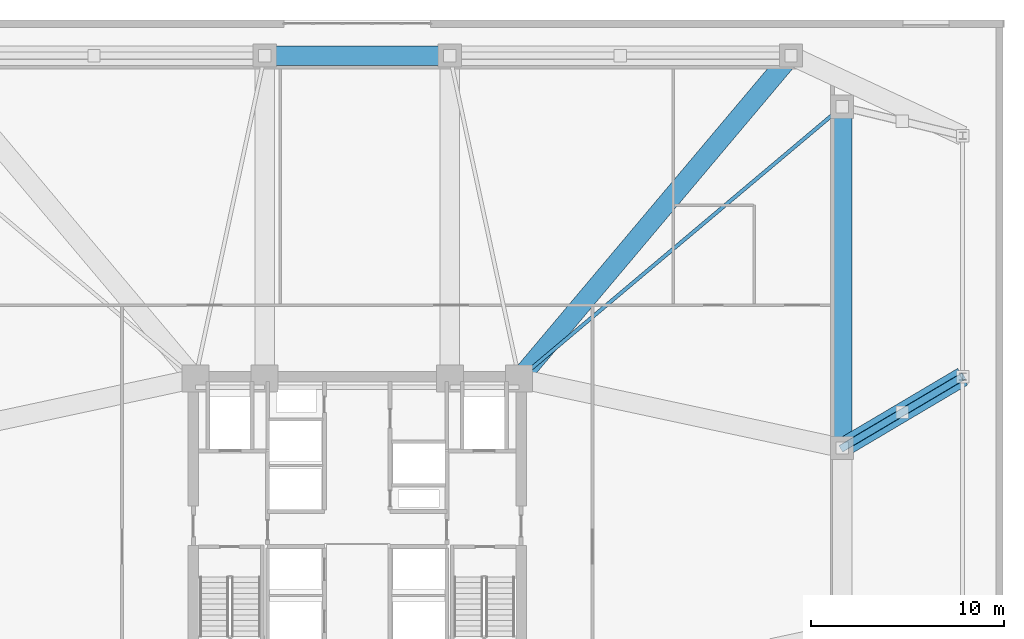
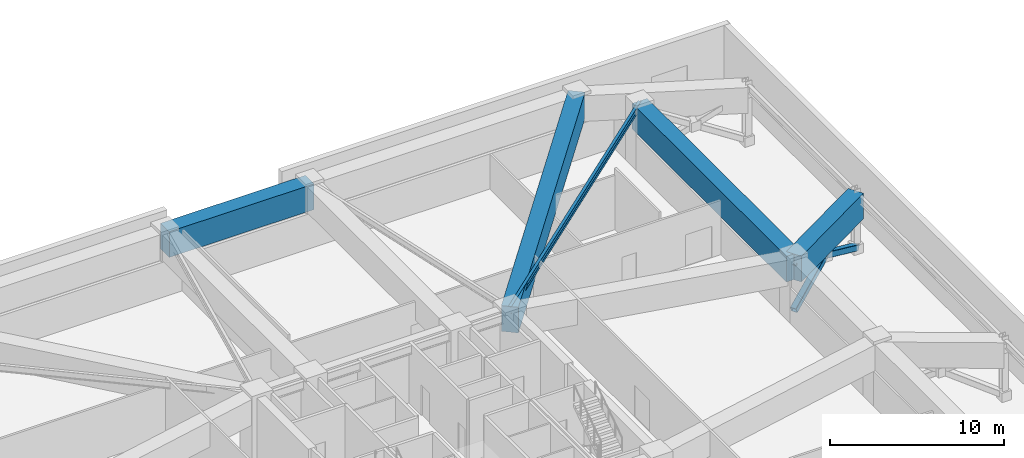
# One storey, part 8 of 19: 5 beams, 3 members.
"""IFC4 building model written with IfcOpenShell, lengths in metres."""

from ifc_helpers import new_model, si_unit, direction, frame, origin, origin_2d, place, context, subcontext, project, spatial, rectangle, hollow_rectangle, i_section, extrude, material, material_profile, profile_set, type_object, element, save


model = new_model("IFC4")

# Units and contexts
model_context = context("Model", 3, precision=1e-05, world=origin(), true_north=direction((0.0, 1.0)))
body_context = subcontext(model_context, "Body", "Model", "MODEL_VIEW")
ifc_project = project(units=[si_unit("LENGTHUNIT", "METRE"), si_unit("AREAUNIT", "SQUARE_METRE"), si_unit("VOLUMEUNIT", "CUBIC_METRE"), si_unit("PLANEANGLEUNIT", "RADIAN"), si_unit("MASSUNIT", "GRAM", prefix="KILO")], contexts=[model_context])

# Site, building, storey
site_placement = place(None, origin())
site = spatial("IfcSite", under=ifc_project, at=site_placement, CompositionType="ELEMENT")
building_placement = place(site_placement, origin())
building = spatial("IfcBuilding", under=site, at=building_placement, Name="Cairnveth Concourse Tower", CompositionType="ELEMENT")
storey_placement = place(building_placement, frame((0.0, 0.0, 19.0)))
storey = spatial("IfcBuildingStorey", under=building, at=storey_placement, Name="L04", CompositionType="ELEMENT", Elevation=19.0)

# Beams
ifc_material_1 = material(Name="Concrete N65 (65 MPa)", Category="concrete")
ifc_material_profile_1 = material_profile(ifc_material_1, rectangle(XDim=1.0, YDim=1.800048828125, at=origin_2d()), Name="RC-TB-1000x1800")
ifc_profile_set_1 = profile_set([ifc_material_profile_1], Name="Concrete N65 (65 MPa)")
beam_type_1 = type_object("IfcBeamType", Name="CONCRETE TRANSFER GIRDER 1000X1800", PredefinedType="BEAM", material=ifc_profile_set_1)
beam_1_placement = place(storey_placement, frame((77.14990234375, 43.800048828125, 3.3798828125), z_axis=(0.860518044459, 0.509419959523, 0.0), x_axis=(-0.509419959523, 0.860518044459, 0.0)))
element("IfcBeam", 1, at=beam_1_placement, inside=storey, type_object=beam_type_1, Name="Beam PG-E2B L04", PredefinedType="BEAM", context=body_context, shape_type="SweptSolid", body=[
    extrude(rectangle(XDim=1.0, YDim=1.800048828125, at=origin_2d()), origin(), (0.0, 0.0, 1.0), 7.26318359375),
])
beam_2_placement = place(storey_placement, frame((74.5, 64.14990234375, 3.3798828125), z_axis=(-0.643997697905, -0.765027427674, 0.0), x_axis=(0.765027427674, -0.643997697905, 0.0)))
element("IfcBeam", 2, at=beam_2_placement, inside=storey, type_object=beam_type_1, Name="Beam PG-CNE L04", PredefinedType="BEAM", context=body_context, shape_type="SweptSolid", body=[
    extrude(rectangle(XDim=1.0, YDim=1.800048828125, at=origin_2d()), origin(), (0.0, 0.0, 1.0), 21.89453125),
])
beam_3_placement = place(storey_placement, frame((47.199951171875, 64.14990234375, 3.3798828125), z_axis=(1.0, 0.0, 0.0), x_axis=(0.0, 1.0, 0.0)))
element("IfcBeam", 3, at=beam_3_placement, inside=storey, type_object=beam_type_1, Name="Beam PR-N2 L04", PredefinedType="BEAM", context=body_context, shape_type="SweptSolid", body=[
    extrude(rectangle(XDim=1.0, YDim=1.800048828125, at=origin_2d()), origin(), (0.0, 0.0, 1.0), 9.60009765625),
])
beam_4_placement = place(storey_placement, frame((77.14990234375, 43.800048828125, 3.3798828125), z_axis=(0.0, 1.0, 0.0), x_axis=(-1.0, 0.0, 0.0)))
element("IfcBeam", 4, at=beam_4_placement, inside=storey, type_object=beam_type_1, Name="Beam PR-E3 L04", PredefinedType="BEAM", context=body_context, shape_type="SweptSolid", body=[
    extrude(rectangle(XDim=1.0, YDim=1.800048828125, at=origin_2d()), origin(), (0.0, 0.0, 1.0), 17.699951171875),
])
ifc_material_2 = material(Name="Steel Grade 350", Category="steel")
ifc_material_profile_2 = material_profile(ifc_material_2, i_section(OverallWidth=0.18994140625, OverallDepth=0.45703125, WebThickness=0.009033203125, FlangeThickness=0.014404296875, FilletRadius=0.010986328125, at=origin_2d()), Name="460UB74.6")
ifc_profile_set_2 = profile_set([ifc_material_profile_2], Name="Steel Grade 350")
beam_type_2 = type_object("IfcBeamType", Name="PODIUM FLOOR JOIST 460UB74.6", PredefinedType="JOIST", material=ifc_profile_set_2)
beam_5_placement = place(storey_placement, frame((77.14990234375, 61.5, 4.051513671875), z_axis=(-0.765027427674, -0.643997697905, 0.0), x_axis=(0.643997697905, -0.765027427674, 0.0)))
element("IfcBeam", 5, at=beam_5_placement, inside=storey, type_object=beam_type_2, Name="Beam PJ-NE1 L04", PredefinedType="JOIST", context=body_context, shape_type="SweptSolid", body=[
    extrude(i_section(OverallWidth=0.18994140625, OverallDepth=0.45703125, WebThickness=0.009033203125, FlangeThickness=0.014404296875, FilletRadius=0.010986328125, at=origin_2d()), origin(), (0.0, 0.0, 1.0), 21.89453125),
])

# Members
ifc_material_3 = material(Name="Steel C350L0 (350 MPa)", Category="steel")
ifc_material_profile_3 = material_profile(ifc_material_3, hollow_rectangle(XDim=0.39990234375, YDim=0.39990234375, WallThickness=0.01611328125, InnerFilletRadius=0.01611328125, OuterFilletRadius=0.031982421875, at=origin_2d()), Name="400x400x16.0SHS")
ifc_profile_set_3 = profile_set([ifc_material_profile_3], Name="Steel C350L0 (350 MPa)")
member_type = type_object("IfcMemberType", Name="PODIUM TRANSFER BRACE 400X400X16SHS", PredefinedType="BRACE", material=ifc_profile_set_3)
member_placement = place(storey_placement, frame((77.14990234375, 43.800048828125, 0.35009765625), z_axis=(0.780179532643, 0.461860188172, 0.421906462887), x_axis=(-0.509419959523, 0.860518044459, 0.0)))
element("IfcMember", 6, at=member_placement, inside=storey, type_object=member_type, Name="Structural Brace PTR-TE3A L04", PredefinedType="BRACE", context=body_context, shape_type="SweptSolid", body=[
    extrude(hollow_rectangle(XDim=0.39990234375, YDim=0.39990234375, WallThickness=0.01611328125, InnerFilletRadius=0.01611328125, OuterFilletRadius=0.031982421875, at=origin_2d()), origin(), (0.0, 0.0, 1.0), 8.010986328125),
])
for number, where, z_axis, x_axis, name in (
    (7, (83.39990234375, 47.5, 0.35009765625), (-0.780182248625, -0.461856633851, 0.42190533144), (0.50941574336, -0.86052054038, 0.0), "Structural Brace PTR-TE3B1 L04"),
    (8, (80.26318359375, 45.64306640625, 2.04638671875), (-0.780182248625, -0.461856633851, 0.42190533144), (0.50941574336, -0.86052054038, 0.0), "Structural Brace PTR-TE3B2 L04"),
):
    element("IfcMember", number, at=place(storey_placement, frame(where, z_axis=z_axis, x_axis=x_axis)), inside=storey, type_object=member_type, Name=name, PredefinedType="BRACE", context=body_context, shape_type="SweptSolid", body=[
        extrude(hollow_rectangle(XDim=0.39990234375, YDim=0.39990234375, WallThickness=0.01611328125, InnerFilletRadius=0.01611328125, OuterFilletRadius=0.031982421875, at=origin_2d()), origin(), (0.0, 0.0, 1.0), 3.990478515625),
    ])

save(model, "model.ifc")
